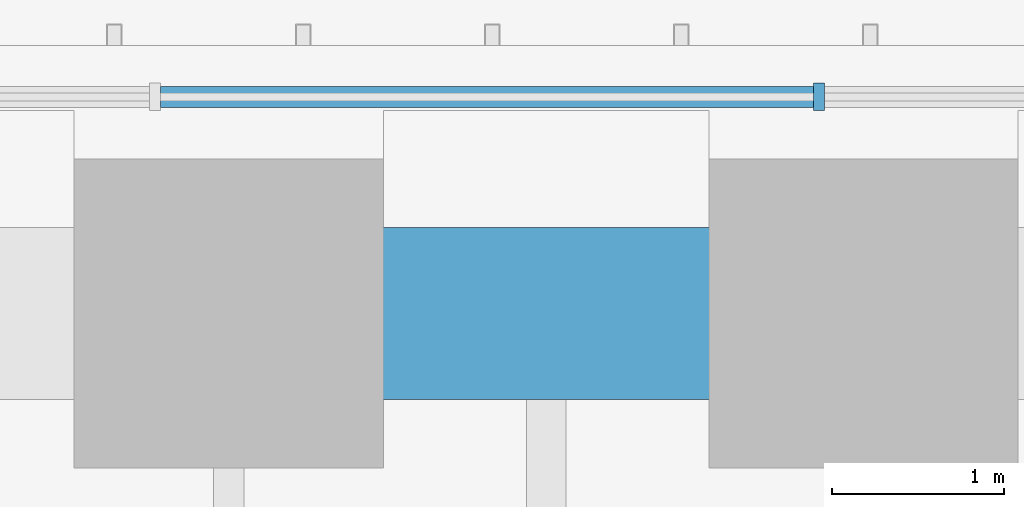
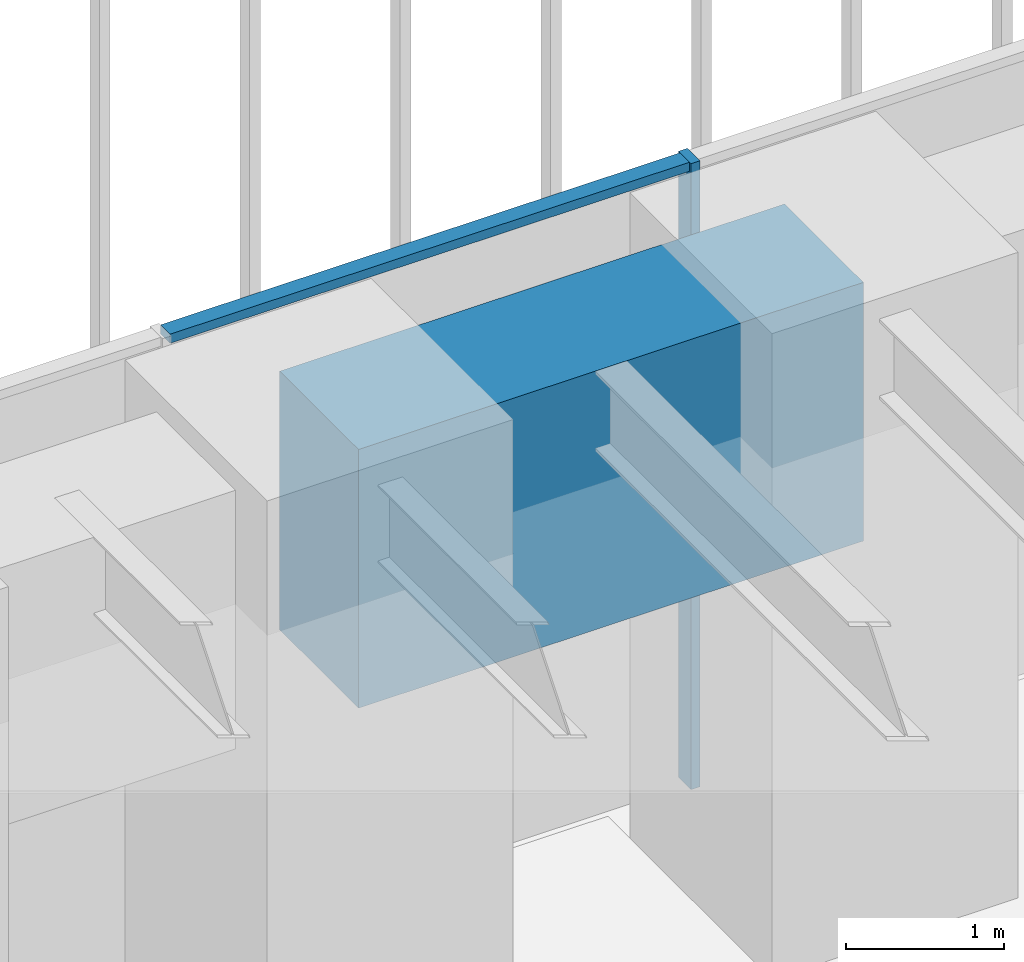
# One storey, part 163 of 228: 2 members, 1 beam, 1 element without a shape of its own.
"""IFC4 building model written with IfcOpenShell, lengths in metres."""

from ifc_helpers import new_model, si_unit, direction, frame, origin, origin_2d, place, context, subcontext, project, spatial, rectangle, extrude, material, material_profile, profile_set, type_object, element, aggregate, save


model = new_model("IFC4")

# Units and contexts
model_context = context("Model", 3, precision=1e-05, world=origin(), true_north=direction((0.0, 1.0)))
body_context = subcontext(model_context, "Body", "Model", "MODEL_VIEW")
ifc_project = project(units=[si_unit("LENGTHUNIT", "METRE"), si_unit("AREAUNIT", "SQUARE_METRE"), si_unit("VOLUMEUNIT", "CUBIC_METRE"), si_unit("PLANEANGLEUNIT", "RADIAN"), si_unit("MASSUNIT", "GRAM", prefix="KILO")], contexts=[model_context])

# Site, building, storey
site_placement = place(None, origin())
site = spatial("IfcSite", under=ifc_project, at=site_placement, CompositionType="ELEMENT")
building_placement = place(site_placement, origin())
building = spatial("IfcBuilding", under=site, at=building_placement, Name="Sandreach Pilgrim Tower", CompositionType="ELEMENT")
storey_placement = place(building_placement, frame((0.0, 0.0, 178.199951171875)))
storey = spatial("IfcBuildingStorey", under=building, at=storey_placement, Name="L44", CompositionType="ELEMENT", Elevation=178.199951171875)

# Curtain wall, members
ifc_material_1 = material(Name="Aluminium framed curtain wall", Category="aluminium")
curtain_wall_type = type_object("IfcCurtainWallType", Name="Upper hotel tower curtain wall", PredefinedType="NOTDEFINED", material=ifc_material_1)
curtain_wall_placement = place(storey_placement, origin())
curtain_wall = element("IfcCurtainWall", 1, at=curtain_wall_placement, inside=storey, type_object=curtain_wall_type, Name="CW-3 L44 N", PredefinedType="NOTDEFINED")
ifc_material_2 = material(Name="Aluminium extrusion", Category="aluminium")
ifc_material_profile_1 = material_profile(ifc_material_2, rectangle(XDim=0.06494140625, YDim=0.159912109375, at=origin_2d()), Name="CW-3M 65X160")
ifc_profile_set_1 = profile_set([ifc_material_profile_1], Name="Aluminium extrusion")
member_type_1 = type_object("IfcMemberType", Name="CW-3 mullion", PredefinedType="MULLION", material=ifc_profile_set_1)
member_1_placement = place(storey_placement, frame((-5.796630859375, 21.16015625, 0.0), z_axis=(0.0, 0.0, 1.0), x_axis=(1.0, 0.0, 0.0)))
member_1 = element("IfcMember", 2, at=member_1_placement, type_object=member_type_1, Name="CW-3 mullion 4", PredefinedType="MULLION", context=body_context, shape_type="SweptSolid", body=[
    extrude(rectangle(XDim=0.06494140625, YDim=0.159912109375, at=origin_2d()), origin(), (0.0, 0.0, 1.0), 4.840087890625),
])
ifc_material_3 = material(Name="Aluminium extrusion", Category="aluminium")
ifc_material_profile_2 = material_profile(ifc_material_3, rectangle(XDim=0.1201171875, YDim=0.070068359375, at=origin_2d()), Name="CW-3T 120X70")
ifc_profile_set_2 = profile_set([ifc_material_profile_2], Name="Aluminium extrusion")
member_type_2 = type_object("IfcMemberType", Name="CW-3 transom", PredefinedType="USERDEFINED", material=ifc_profile_set_2)
member_2_placement = place(storey_placement, frame((-9.628662109375, 21.16015625, 4.804931640625), z_axis=(1.0, 0.0, 0.0), x_axis=(0.0, 1.0, 0.0)))
member_2 = element("IfcMember", 3, at=member_2_placement, type_object=member_type_2, Name="CW-3 head transom 3", ObjectType="TRANSOM", PredefinedType="USERDEFINED", context=body_context, shape_type="SweptSolid", body=[
    extrude(rectangle(XDim=0.1201171875, YDim=0.070068359375, at=origin_2d()), origin(), (0.0, 0.0, 1.0), 3.799560546875),
])
aggregate(curtain_wall, [member_1, member_2])

# Beam
ifc_material_4 = material(Name="Concrete 10000 psi", Category="concrete")
ifc_material_profile_3 = material_profile(ifc_material_4, rectangle(XDim=1.0, YDim=2.0, at=origin_2d()), Name="RC1000X2000")
ifc_profile_set_3 = profile_set([ifc_material_profile_3], Name="Concrete 10000 psi")
beam_type = type_object("IfcBeamType", Name="Spandrel beam RC1000X2000", PredefinedType="SPANDREL", material=ifc_profile_set_3)
beam_placement = place(storey_placement, frame((-9.231201171875, 19.900146484375, 3.840087890625), z_axis=(1.0, 0.0, 0.0), x_axis=(0.0, 1.0, 0.0)))
element("IfcBeam", 4, at=beam_placement, inside=storey, type_object=beam_type, Name="BM L44 SP02", PredefinedType="SPANDREL", context=body_context, shape_type="SweptSolid", body=[
    extrude(rectangle(XDim=1.0, YDim=2.0, at=origin_2d()), origin(), (0.0, 0.0, 1.0), 3.6923828125),
])

save(model, "model.ifc")
